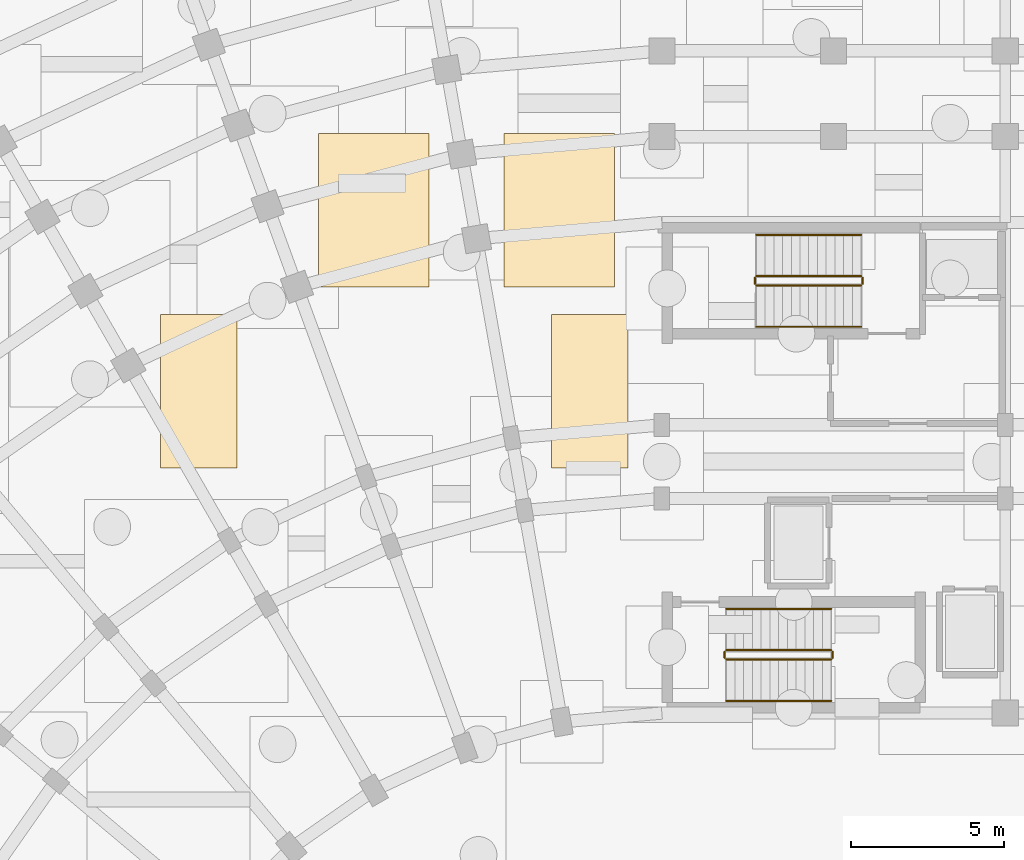
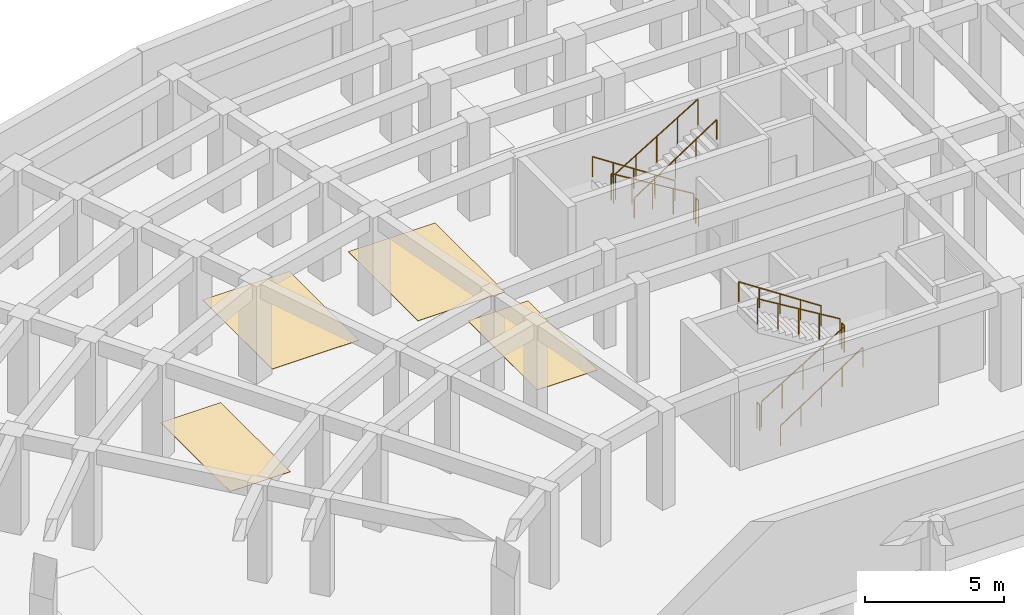
# One storey, part 46 of 53: 12 railings, 4 coverings.
"""IFC4 building model written with IfcOpenShell, lengths in metres."""

from ifc_helpers import new_model, si_unit, direction, frame, origin, origin_2d, place, context, subcontext, project, spatial, polyline, circle, outline, extrude, material, layer, layer_set, type_object, element, save


model = new_model("IFC4")

# Units and contexts
model_context = context("Model", 3, precision=1e-05, world=origin(), true_north=direction((0.0, 1.0)))
body_context = subcontext(model_context, "Body", "Model", "MODEL_VIEW")
ifc_project = project(units=[si_unit("LENGTHUNIT", "METRE"), si_unit("AREAUNIT", "SQUARE_METRE"), si_unit("VOLUMEUNIT", "CUBIC_METRE"), si_unit("PLANEANGLEUNIT", "RADIAN"), si_unit("MASSUNIT", "GRAM", prefix="KILO")], contexts=[model_context])

# Site, building, storey
site_placement = place(None, origin())
site = spatial("IfcSite", under=ifc_project, at=site_placement, CompositionType="ELEMENT")
building_placement = place(site_placement, origin())
building = spatial("IfcBuilding", under=site, at=building_placement, Name="Kiranvali Square Residences", CompositionType="ELEMENT")
storey_placement = place(building_placement, frame((0.0, 0.0, -4.5)))
storey = spatial("IfcBuildingStorey", under=building, at=storey_placement, Name="B1", CompositionType="ELEMENT", Elevation=-4.5)

# Coverings
ifc_material_1 = material(Name="Polished terrazzo and anti-slip vitrified floor finish", Category="stone")
ifc_layer_1 = layer(ifc_material_1, 0.014892578125)
ifc_layer_set_1 = layer_set([ifc_layer_1], Name="Polished terrazzo and anti-slip vitrified floor finish")
covering_type_1 = type_object("IfcCoveringType", Name="COV-BAY-ACC", PredefinedType="FLOORING", material=ifc_layer_set_1)
covering_1_placement = place(storey_placement, origin())
element("IfcCovering", 1, at=covering_1_placement, inside=storey, type_object=covering_type_1, Name="Accessible Parking Bay ACC-10", PredefinedType="FLOORING", context=body_context, shape_type="SweptSolid", body=[
    extrude(outline(polyline([(37.0, 120.5), (40.60009765625, 120.5), (40.60009765625, 125.5), (37.0, 125.5), (37.0, 120.5)])), origin(), (0.0, 0.0, 1.0), 0.014892578125),
])
covering_2_placement = place(storey_placement, origin())
element("IfcCovering", 2, at=covering_2_placement, inside=storey, type_object=covering_type_1, Name="Accessible Parking Bay ACC-11", PredefinedType="FLOORING", context=body_context, shape_type="SweptSolid", body=[
    extrude(outline(polyline([(43.050048828125, 120.5), (46.64990234375, 120.5), (46.64990234375, 125.5), (43.050048828125, 125.5), (43.050048828125, 120.5)])), origin(), (0.0, 0.0, 1.0), 0.014892578125),
])
ifc_layer_2 = layer(ifc_material_1, 0.014892578125)
ifc_layer_set_2 = layer_set([ifc_layer_2], Name="Polished terrazzo and anti-slip vitrified floor finish")
covering_type_2 = type_object("IfcCoveringType", Name="COV-BAY-STD", PredefinedType="FLOORING", material=ifc_layer_set_2)
covering_3_placement = place(storey_placement, origin())
element("IfcCovering", 3, at=covering_3_placement, inside=storey, type_object=covering_type_2, Name="Standard Car Parking Bay P-010", PredefinedType="FLOORING", context=body_context, shape_type="SweptSolid", body=[
    extrude(outline(polyline([(31.85009765625, 114.60009765625), (34.35009765625, 114.60009765625), (34.35009765625, 119.60009765625), (31.85009765625, 119.60009765625), (31.85009765625, 114.60009765625)])), origin(), (0.0, 0.0, 1.0), 0.014892578125),
])
covering_4_placement = place(storey_placement, origin())
element("IfcCovering", 4, at=covering_4_placement, inside=storey, type_object=covering_type_2, Name="Standard Car Parking Bay P-011", PredefinedType="FLOORING", context=body_context, shape_type="SweptSolid", body=[
    extrude(outline(polyline([(44.60009765625, 114.60009765625), (47.10009765625, 114.60009765625), (47.10009765625, 119.60009765625), (44.60009765625, 119.60009765625), (44.60009765625, 114.60009765625)])), origin(), (0.0, 0.0, 1.0), 0.014892578125),
])

# Railings
ifc_material_2 = material(Name="Brushed stainless steel tubular handrail", Category="steel")
railing_type_1 = type_object("IfcRailingType", Name="RL-HANDRAIL-900", PredefinedType="HANDRAIL", material=ifc_material_2)
railing_1_placement = place(storey_placement, frame((54.699951171875, 122.199951171875, 0.173095703125)))
element("IfcRailing", 5, at=railing_1_placement, inside=storey, type_object=railing_type_1, Name="B1 ST-A1 stair handrail 1", PredefinedType="HANDRAIL", context=body_context, shape_type="SweptSolid", body=[
    extrude(circle(Radius=0.02392578125, at=origin_2d()), frame((0.0, 0.0, 0.8759765625), z_axis=(-0.835411317272, 0.0, 0.549625264133), x_axis=(0.0, -1.0, 0.0)), (0.0, 0.0, 1.0), 4.09375),
    extrude(circle(Radius=0.02099609375, at=origin_2d()), origin(), (0.0, 0.0, 1.0), 0.851806640625),
    extrude(circle(Radius=0.02099609375, at=origin_2d()), frame((-0.85498046875, 0.0, 0.5625)), (0.0, 0.0, 1.0), 0.851806640625),
    extrude(circle(Radius=0.02099609375, at=origin_2d()), frame((-1.7099609375, 0.0, 1.125)), (0.0, 0.0, 1.0), 0.851806640625),
    extrude(circle(Radius=0.02099609375, at=origin_2d()), frame((-2.56494140625, 0.0, 1.6875)), (0.0, 0.0, 1.0), 0.851806640625),
    extrude(circle(Radius=0.02099609375, at=origin_2d()), frame((-3.419921875, 0.0, 2.25)), (0.0, 0.0, 1.0), 0.851806640625),
])
for number, where, name in (
    (6, (51.280029296875, 119.199951171875, 2.423095703125), "B1 ST-A1 stair handrail 2"),
    (7, (50.300048828125, 107.0, 0.173095703125), "B1 ST-A2 stair handrail 1"),
):
    element("IfcRailing", number, at=place(storey_placement, frame(where)), inside=storey, type_object=railing_type_1, Name=name, PredefinedType="HANDRAIL", context=body_context, shape_type="SweptSolid", body=[
        extrude(circle(Radius=0.02392578125, at=origin_2d()), frame((0.0, 0.0, 0.8759765625), z_axis=(0.835411317272, 0.0, 0.549625264133), x_axis=(0.0, 1.0, 0.0)), (0.0, 0.0, 1.0), 4.09375),
        extrude(circle(Radius=0.02099609375, at=origin_2d()), origin(), (0.0, 0.0, 1.0), 0.851806640625),
        extrude(circle(Radius=0.02099609375, at=origin_2d()), frame((0.85498046875, 0.0, 0.5625)), (0.0, 0.0, 1.0), 0.851806640625),
        extrude(circle(Radius=0.02099609375, at=origin_2d()), frame((1.7099609375, 0.0, 1.125)), (0.0, 0.0, 1.0), 0.851806640625),
        extrude(circle(Radius=0.02099609375, at=origin_2d()), frame((2.56494140625, 0.0, 1.6875)), (0.0, 0.0, 1.0), 0.851806640625),
        extrude(circle(Radius=0.02099609375, at=origin_2d()), frame((3.419921875, 0.0, 2.25)), (0.0, 0.0, 1.0), 0.851806640625),
    ])
railing_2_placement = place(storey_placement, frame((53.719970703125, 110.0, 2.423095703125)))
element("IfcRailing", 8, at=railing_2_placement, inside=storey, type_object=railing_type_1, Name="B1 ST-A2 stair handrail 2", PredefinedType="HANDRAIL", context=body_context, shape_type="SweptSolid", body=[
    extrude(circle(Radius=0.02392578125, at=origin_2d()), frame((0.0, 0.0, 0.8759765625), z_axis=(-0.835411317272, 0.0, 0.549625264133), x_axis=(0.0, -1.0, 0.0)), (0.0, 0.0, 1.0), 4.09375),
    extrude(circle(Radius=0.02099609375, at=origin_2d()), origin(), (0.0, 0.0, 1.0), 0.851806640625),
    extrude(circle(Radius=0.02099609375, at=origin_2d()), frame((-0.85498046875, 0.0, 0.5625)), (0.0, 0.0, 1.0), 0.851806640625),
    extrude(circle(Radius=0.02099609375, at=origin_2d()), frame((-1.7099609375, 0.0, 1.125)), (0.0, 0.0, 1.0), 0.851806640625),
    extrude(circle(Radius=0.02099609375, at=origin_2d()), frame((-2.56494140625, 0.0, 1.6875)), (0.0, 0.0, 1.0), 0.851806640625),
    extrude(circle(Radius=0.02099609375, at=origin_2d()), frame((-3.419921875, 0.0, 2.25)), (0.0, 0.0, 1.0), 0.851806640625),
])
ifc_material_3 = material(Name="Powder-coated architectural bronze balustrade", Category="steel")
railing_type_2 = type_object("IfcRailingType", Name="RL-ST-GUARD-1200", PredefinedType="GUARDRAIL", material=ifc_material_3)
railing_3_placement = place(storey_placement, frame((54.699951171875, 120.85009765625, 0.173095703125)))
element("IfcRailing", 9, at=railing_3_placement, inside=storey, type_object=railing_type_2, Name="B1 ST-A1 stair guard 1", PredefinedType="GUARDRAIL", context=body_context, shape_type="SweptSolid", body=[
    extrude(circle(Radius=0.02392578125, at=origin_2d()), frame((0.0, 0.0, 1.1259765625), z_axis=(-0.854729506542, 0.0, 0.519073665916), x_axis=(0.0, -1.0, 0.0)), (0.0, 0.0, 1.0), 4.001220703125),
    extrude(circle(Radius=0.02099609375, at=origin_2d()), origin(), (0.0, 0.0, 1.0), 1.101806640625),
    extrude(circle(Radius=0.02099609375, at=origin_2d()), frame((-0.85498046875, 0.0, 0.519287109375)), (0.0, 0.0, 1.0), 1.101806640625),
    extrude(circle(Radius=0.02099609375, at=origin_2d()), frame((-1.7099609375, 0.0, 1.03857421875)), (0.0, 0.0, 1.0), 1.101806640625),
    extrude(circle(Radius=0.02099609375, at=origin_2d()), frame((-2.56494140625, 0.0, 1.5576171875)), (0.0, 0.0, 1.0), 1.101806640625),
    extrude(circle(Radius=0.02099609375, at=origin_2d()), frame((-3.419921875, 0.0, 2.076904296875)), (0.0, 0.0, 1.0), 1.101806640625),
])
railing_4_placement = place(storey_placement, frame((51.22998046875, 120.800048828125, 2.25)))
element("IfcRailing", 10, at=railing_4_placement, inside=storey, type_object=railing_type_2, Name="B1 ST-A1 stair guard 2", PredefinedType="GUARDRAIL", context=body_context, shape_type="SweptSolid", body=[
    extrude(circle(Radius=0.02392578125, at=origin_2d()), frame((0.0, 0.0, 1.1259765625), z_axis=(0.0, -1.0, 0.0), x_axis=(1.0, 0.0, 0.0)), (0.0, 0.0, 1.0), 0.199951171875),
    extrude(circle(Radius=0.02099609375, at=origin_2d()), origin(), (0.0, 0.0, 1.0), 1.101806640625),
    extrude(circle(Radius=0.02099609375, at=origin_2d()), frame((0.0, -0.199951171875, 0.0)), (0.0, 0.0, 1.0), 1.101806640625),
])
railing_5_placement = place(storey_placement, frame((51.280029296875, 120.550048828125, 2.423095703125)))
element("IfcRailing", 11, at=railing_5_placement, inside=storey, type_object=railing_type_2, Name="B1 ST-A1 stair guard 3", PredefinedType="GUARDRAIL", context=body_context, shape_type="SweptSolid", body=[
    extrude(circle(Radius=0.02392578125, at=origin_2d()), frame((0.0, 0.0, 1.1259765625), z_axis=(0.854729506542, 0.0, 0.519073665916), x_axis=(0.0, 1.0, 0.0)), (0.0, 0.0, 1.0), 4.001220703125),
    extrude(circle(Radius=0.02099609375, at=origin_2d()), origin(), (0.0, 0.0, 1.0), 1.101806640625),
    extrude(circle(Radius=0.02099609375, at=origin_2d()), frame((0.85498046875, 0.0, 0.519287109375)), (0.0, 0.0, 1.0), 1.101806640625),
    extrude(circle(Radius=0.02099609375, at=origin_2d()), frame((1.7099609375, 0.0, 1.03857421875)), (0.0, 0.0, 1.0), 1.101806640625),
    extrude(circle(Radius=0.02099609375, at=origin_2d()), frame((2.56494140625, 0.0, 1.5576171875)), (0.0, 0.0, 1.0), 1.101806640625),
    extrude(circle(Radius=0.02099609375, at=origin_2d()), frame((3.419921875, 0.0, 2.076904296875)), (0.0, 0.0, 1.0), 1.101806640625),
])
railing_6_placement = place(storey_placement, frame((54.75, 120.800048828125, 0.0)))
element("IfcRailing", 12, at=railing_6_placement, inside=storey, type_object=railing_type_2, Name="B1 ST-A1 stair guard 4", PredefinedType="GUARDRAIL", context=body_context, shape_type="SweptSolid", body=[
    extrude(circle(Radius=0.02392578125, at=origin_2d()), frame((0.0, 0.0, 1.1259765625), z_axis=(0.0, -1.0, 0.0), x_axis=(1.0, 0.0, 0.0)), (0.0, 0.0, 1.0), 0.199951171875),
    extrude(circle(Radius=0.02099609375, at=origin_2d()), origin(), (0.0, 0.0, 1.0), 1.101806640625),
    extrude(circle(Radius=0.02099609375, at=origin_2d()), frame((0.0, -0.199951171875, 0.0)), (0.0, 0.0, 1.0), 1.101806640625),
])
railing_7_placement = place(storey_placement, frame((50.300048828125, 108.35009765625, 0.173095703125)))
element("IfcRailing", 13, at=railing_7_placement, inside=storey, type_object=railing_type_2, Name="B1 ST-A2 stair guard 1", PredefinedType="GUARDRAIL", context=body_context, shape_type="SweptSolid", body=[
    extrude(circle(Radius=0.02392578125, at=origin_2d()), frame((0.0, 0.0, 1.1259765625), z_axis=(0.854729506542, 0.0, 0.519073665916), x_axis=(0.0, 1.0, 0.0)), (0.0, 0.0, 1.0), 4.001220703125),
    extrude(circle(Radius=0.02099609375, at=origin_2d()), origin(), (0.0, 0.0, 1.0), 1.101806640625),
    extrude(circle(Radius=0.02099609375, at=origin_2d()), frame((0.85498046875, 0.0, 0.519287109375)), (0.0, 0.0, 1.0), 1.101806640625),
    extrude(circle(Radius=0.02099609375, at=origin_2d()), frame((1.7099609375, 0.0, 1.03857421875)), (0.0, 0.0, 1.0), 1.101806640625),
    extrude(circle(Radius=0.02099609375, at=origin_2d()), frame((2.56494140625, 0.0, 1.5576171875)), (0.0, 0.0, 1.0), 1.101806640625),
    extrude(circle(Radius=0.02099609375, at=origin_2d()), frame((3.419921875, 0.0, 2.076904296875)), (0.0, 0.0, 1.0), 1.101806640625),
])
railing_8_placement = place(storey_placement, frame((53.77001953125, 108.39990234375, 2.25)))
element("IfcRailing", 14, at=railing_8_placement, inside=storey, type_object=railing_type_2, Name="B1 ST-A2 stair guard 2", PredefinedType="GUARDRAIL", context=body_context, shape_type="SweptSolid", body=[
    extrude(circle(Radius=0.02392578125, at=origin_2d()), frame((0.0, 0.0, 1.1259765625), z_axis=(0.0, 1.0, 0.0), x_axis=(-1.0, 0.0, 0.0)), (0.0, 0.0, 1.0), 0.2001953125),
    extrude(circle(Radius=0.02099609375, at=origin_2d()), origin(), (0.0, 0.0, 1.0), 1.101806640625),
    extrude(circle(Radius=0.02099609375, at=origin_2d()), frame((0.0, 0.2001953125, 0.0)), (0.0, 0.0, 1.0), 1.101806640625),
])
railing_9_placement = place(storey_placement, frame((53.719970703125, 108.64990234375, 2.423095703125)))
element("IfcRailing", 15, at=railing_9_placement, inside=storey, type_object=railing_type_2, Name="B1 ST-A2 stair guard 3", PredefinedType="GUARDRAIL", context=body_context, shape_type="SweptSolid", body=[
    extrude(circle(Radius=0.02392578125, at=origin_2d()), frame((0.0, 0.0, 1.1259765625), z_axis=(-0.854729506542, 0.0, 0.519073665916), x_axis=(0.0, -1.0, 0.0)), (0.0, 0.0, 1.0), 4.001220703125),
    extrude(circle(Radius=0.02099609375, at=origin_2d()), origin(), (0.0, 0.0, 1.0), 1.101806640625),
    extrude(circle(Radius=0.02099609375, at=origin_2d()), frame((-0.85498046875, 0.0, 0.519287109375)), (0.0, 0.0, 1.0), 1.101806640625),
    extrude(circle(Radius=0.02099609375, at=origin_2d()), frame((-1.7099609375, 0.0, 1.03857421875)), (0.0, 0.0, 1.0), 1.101806640625),
    extrude(circle(Radius=0.02099609375, at=origin_2d()), frame((-2.56494140625, 0.0, 1.5576171875)), (0.0, 0.0, 1.0), 1.101806640625),
    extrude(circle(Radius=0.02099609375, at=origin_2d()), frame((-3.419921875, 0.0, 2.076904296875)), (0.0, 0.0, 1.0), 1.101806640625),
])
railing_10_placement = place(storey_placement, frame((50.25, 108.39990234375, 0.0)))
element("IfcRailing", 16, at=railing_10_placement, inside=storey, type_object=railing_type_2, Name="B1 ST-A2 stair guard 4", PredefinedType="GUARDRAIL", context=body_context, shape_type="SweptSolid", body=[
    extrude(circle(Radius=0.02392578125, at=origin_2d()), frame((0.0, 0.0, 1.1259765625), z_axis=(0.0, 1.0, 0.0), x_axis=(-1.0, 0.0, 0.0)), (0.0, 0.0, 1.0), 0.2001953125),
    extrude(circle(Radius=0.02099609375, at=origin_2d()), origin(), (0.0, 0.0, 1.0), 1.101806640625),
    extrude(circle(Radius=0.02099609375, at=origin_2d()), frame((0.0, 0.2001953125, 0.0)), (0.0, 0.0, 1.0), 1.101806640625),
])

save(model, "model.ifc")
